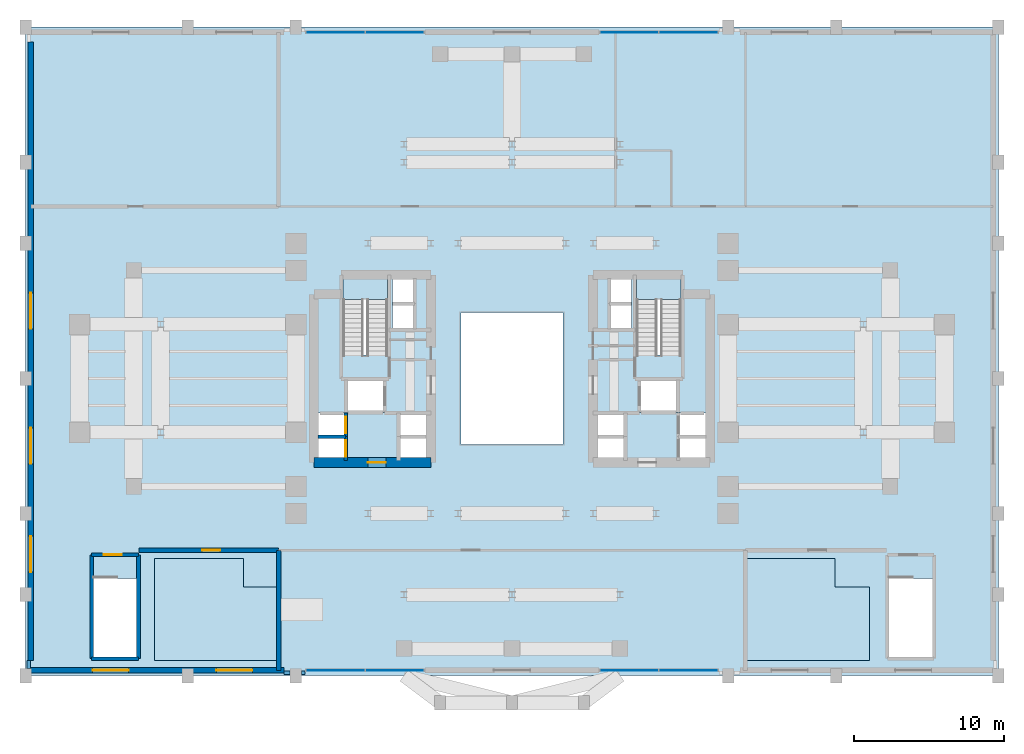
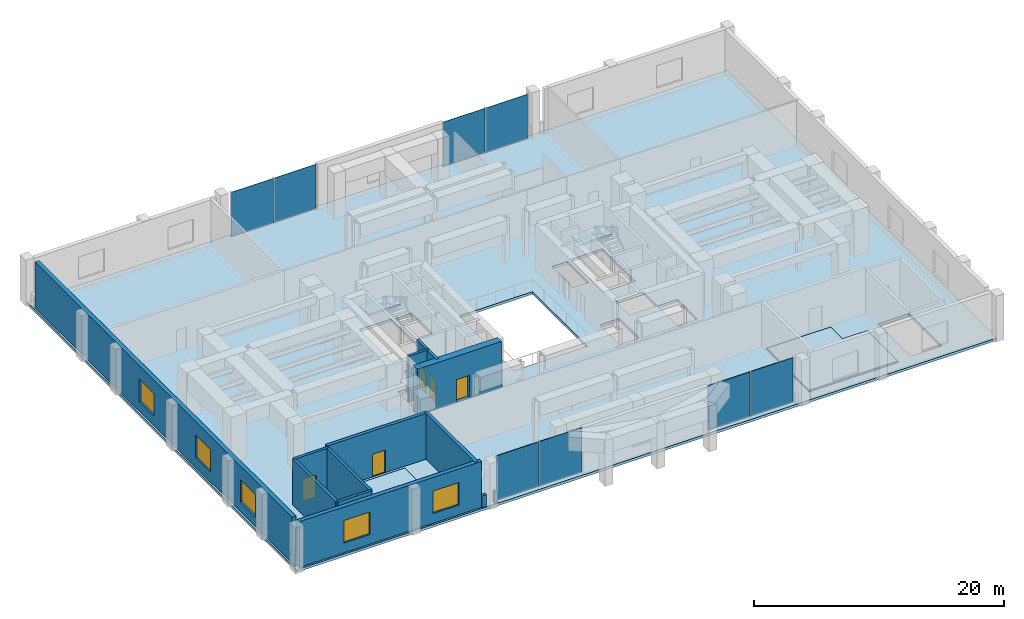
# One storey, part 8 of 13: 15 walls, 8 plates, 5 doors, 5 slabs, 5 windows, 10 openings, 6 elements without a shape of their own.
"""IFC4 building model written with IfcOpenShell, lengths in metres."""

from ifc_helpers import new_model, si_unit, direction, frame, frame_2d, origin, origin_2d, place, context, subcontext, project, spatial, polyline, rectangle, outline, extrude, source, transform, mapped, material, layer, layer_set, type_object, element, fill, aggregate, save


model = new_model("IFC4")

# Units and contexts
model_context = context("Model", 3, precision=1e-05, world=origin(), true_north=direction((0.0, 1.0)))
body_context = subcontext(model_context, "Body", "Model", "MODEL_VIEW")
ifc_project = project(units=[si_unit("LENGTHUNIT", "METRE"), si_unit("AREAUNIT", "SQUARE_METRE"), si_unit("VOLUMEUNIT", "CUBIC_METRE"), si_unit("PLANEANGLEUNIT", "RADIAN"), si_unit("MASSUNIT", "GRAM", prefix="KILO")], contexts=[model_context])

# Site, building, storey
site_placement = place(None, origin())
site = spatial("IfcSite", under=ifc_project, at=site_placement, CompositionType="ELEMENT")
building_placement = place(site_placement, origin())
building = spatial("IfcBuilding", under=site, at=building_placement, Name="Keilestroom Media Tower", CompositionType="ELEMENT")
storey_placement = place(building_placement, frame((0.0, 0.0, 20.39990234375)))
storey = spatial("IfcBuildingStorey", under=building, at=storey_placement, Name="L04", CompositionType="ELEMENT", Elevation=20.39990234375)

# Slabs
ifc_material_1 = material(Name="Concrete C50/60", Category="concrete")
ifc_layer_1 = layer(ifc_material_1, 0.25)
ifc_layer_set_1 = layer_set([ifc_layer_1], Name="Concrete C50/60")
slab_type_1 = type_object("IfcSlabType", Name="Composite-Floor-Slab-250", PredefinedType="FLOOR", material=ifc_layer_set_1)
slab_1_placement = place(storey_placement, frame((0.0, 0.0, -0.25)))
element("IfcSlab", 1, at=slab_1_placement, inside=storey, type_object=slab_type_1, Name="L04 Structural Composite Floor Slab", PredefinedType="FLOOR", context=body_context, shape_type="SweptSolid", body=[
    extrude(outline(polyline([(-32.39990234375, -19.800048828125), (32.39990234375, -19.800048828125), (32.39990234375, 23.39990234375), (-32.39990234375, 23.39990234375), (-32.39990234375, -19.800048828125)]), holes=[polyline([(-27.8798828125, -18.550048828125), (-27.8798828125, -13.3349609375), (-25.0, -13.3349609375), (-25.0, -18.550048828125), (-27.8798828125, -18.550048828125)]), polyline([(-12.919921875, -5.47998046875), (-12.919921875, -2.320068359375), (-11.080078125, -2.320068359375), (-11.080078125, -5.47998046875), (-12.919921875, -5.47998046875)]), polyline([(-11.260009765625, 6.760009765625), (-8.300048828125, 6.760009765625), (-8.300048828125, 1.544921875), (-11.260009765625, 1.544921875), (-11.260009765625, 6.760009765625)]), polyline([(-11.050048828125, -2.280029296875), (-11.050048828125, -0.10009765625), (-8.47998046875, -0.10009765625), (-8.47998046875, -2.280029296875), (-11.050048828125, -2.280029296875)]), polyline([(-7.949951171875, 6.64990234375), (-6.47998046875, 6.64990234375), (-6.47998046875, 3.300048828125), (-7.949951171875, 3.300048828125), (-7.949951171875, 6.64990234375)]), polyline([(-5.719970703125, -5.47998046875), (-7.56005859375, -5.47998046875), (-7.56005859375, -2.320068359375), (-5.719970703125, -2.320068359375), (-5.719970703125, -5.47998046875)]), polyline([(-3.39990234375, -4.39990234375), (-3.39990234375, 4.39990234375), (3.39990234375, 4.39990234375), (3.39990234375, -4.39990234375), (-3.39990234375, -4.39990234375)]), polyline([(7.56005859375, -2.320068359375), (7.56005859375, -5.47998046875), (5.719970703125, -5.47998046875), (5.719970703125, -2.320068359375), (7.56005859375, -2.320068359375)]), polyline([(7.949951171875, 6.64990234375), (7.949951171875, 3.300048828125), (6.47998046875, 3.300048828125), (6.47998046875, 6.64990234375), (7.949951171875, 6.64990234375)]), polyline([(8.300048828125, 6.760009765625), (11.260009765625, 6.760009765625), (11.260009765625, 1.544921875), (8.300048828125, 1.544921875), (8.300048828125, 6.760009765625)]), polyline([(8.47998046875, -2.280029296875), (8.47998046875, -0.10009765625), (11.050048828125, -0.10009765625), (11.050048828125, -2.280029296875), (8.47998046875, -2.280029296875)]), polyline([(11.080078125, -2.320068359375), (12.919921875, -2.320068359375), (12.919921875, -5.47998046875), (11.080078125, -5.47998046875), (11.080078125, -2.320068359375)]), polyline([(25.1201171875, -18.550048828125), (25.1201171875, -13.3349609375), (28.0, -13.3349609375), (28.0, -18.550048828125), (25.1201171875, -18.550048828125)])]), origin(), (0.0, 0.0, 1.0), 0.25),
])
ifc_material_2 = material(Name="Concrete C45/55", Category="concrete")
ifc_layer_2 = layer(ifc_material_2, 0.14990234375)
ifc_layer_set_2 = layer_set([ifc_layer_2], Name="Concrete C45/55")
slab_type_2 = type_object("IfcSlabType", Name="Floating-Studio-Floor-Slab-150", PredefinedType="FLOOR", material=ifc_layer_set_2)
slab_2_placement = place(storey_placement, origin())
element("IfcSlab", 2, at=slab_2_placement, inside=storey, type_object=slab_type_2, Name="L04 Acoustic Floating Studio Slab ST-AUD-W", PredefinedType="FLOOR", context=body_context, shape_type="SweptSolid", body=[
    extrude(outline(polyline([(-23.800048828125, -18.800048828125), (-15.60009765625, -18.800048828125), (-15.60009765625, -13.904052734375), (-17.89599609375, -13.904052734375), (-17.89599609375, -12.0), (-23.800048828125, -12.0), (-23.800048828125, -18.800048828125)])), origin(), (0.0, 0.0, 1.0), 0.150146484375),
])
slab_3_placement = place(storey_placement, origin())
element("IfcSlab", 3, at=slab_3_placement, inside=storey, type_object=slab_type_2, Name="L04 Acoustic Floating Studio Slab ST-FORUM-E", PredefinedType="FLOOR", context=body_context, shape_type="SweptSolid", body=[
    extrude(outline(polyline([(15.60009765625, -18.800048828125), (23.800048828125, -18.800048828125), (23.800048828125, -13.904052734375), (21.50390625, -13.904052734375), (21.50390625, -12.0), (15.60009765625, -12.0), (15.60009765625, -18.800048828125)])), origin(), (0.0, 0.0, 1.0), 0.150146484375),
])

# Stair, slab
stair_type = type_object("IfcStairType", Name="Enclosed-Dog-Leg-Stair-ST-CORE", PredefinedType="HALF_TURN_STAIR", material=ifc_material_2)
stair_1_placement = place(storey_placement, origin())
stair_1 = element("IfcStair", 4, at=stair_1_placement, inside=storey, type_object=stair_type, Name="L04 West Core Escape Stair ST-1", PredefinedType="HALF_TURN_STAIR")
ifc_layer_3 = layer(ifc_material_2, 0.199951171875)
ifc_layer_set_3 = layer_set([ifc_layer_3], Name="Concrete C45/55")
slab_type_3 = type_object("IfcSlabType", Name="Stair-Intermediate-And-Top-Landing-Slab-200", PredefinedType="LANDING", material=ifc_layer_set_3)
slab_4_placement = place(storey_placement, frame((0.0, 0.0, 2.2001953125)))
slab_4 = element("IfcSlab", 5, at=slab_4_placement, type_object=slab_type_3, Name="ST-1 landing 1", PredefinedType="LANDING", context=body_context, shape_type="SweptSolid", body=[
    extrude(outline(polyline([(-8.300048828125, 5.243896484375), (-8.300048828125, 6.760009765625), (-11.260009765625, 6.760009765625), (-11.260009765625, 5.243896484375), (-8.300048828125, 5.243896484375)])), origin(), (0.0, 0.0, 1.0), 0.199951171875),
])
aggregate(stair_1, [slab_4])

stair_2_placement = place(storey_placement, origin())
stair_2 = element("IfcStair", 6, at=stair_2_placement, inside=storey, type_object=stair_type, Name="L04 East Core Escape Stair ST-2", PredefinedType="HALF_TURN_STAIR")
slab_5_placement = place(storey_placement, frame((0.0, 0.0, 2.2001953125)))
slab_5 = element("IfcSlab", 7, at=slab_5_placement, type_object=slab_type_3, Name="ST-2 landing 1", PredefinedType="LANDING", context=body_context, shape_type="SweptSolid", body=[
    extrude(outline(polyline([(11.260009765625, 5.243896484375), (11.260009765625, 6.760009765625), (8.300048828125, 6.760009765625), (8.300048828125, 5.243896484375), (11.260009765625, 5.243896484375)])), origin(), (0.0, 0.0, 1.0), 0.199951171875),
])
aggregate(stair_2, [slab_5])

# Curtain wall, plates
ifc_material_3 = material(Name="Anodised Aluminium Alloy", Category="aluminium")
curtain_wall_type = type_object("IfcCurtainWallType", Name="Unitised-Curtain-Wall-CW-5", PredefinedType="NOTDEFINED", material=ifc_material_3)
curtain_wall_1_placement = place(storey_placement, origin())
curtain_wall_1 = element("IfcCurtainWall", 8, at=curtain_wall_1_placement, inside=storey, type_object=curtain_wall_type, Name="L04 Curtain Wall CW-5 CW-L04-S-ATR", PredefinedType="NOTDEFINED")
ifc_material_4 = material(Name="Acoustic Laminated Low-Iron Glazing", Category="glass")
ifc_layer_4 = layer(ifc_material_4, 0.0400390625)
ifc_layer_set_4 = layer_set([ifc_layer_4], Name="Acoustic Laminated Low-Iron Glazing")
plate_type = type_object("IfcPlateType", Name="Insulated-Curtain-Wall-Glazing-Panel-CW-5", PredefinedType="CURTAIN_PANEL", material=ifc_layer_set_4)
shared_shape_1 = source(origin(), body_context, "Body", "SweptSolid", [
    extrude(rectangle(XDim=3.89306640625, YDim=0.0400390625, at=origin_2d()), origin(), (0.0, 0.0, 1.0), 4.333984375),
])
plate_1_placement = place(storey_placement, frame((-11.767578125, -19.449951171875, 0.072998046875), z_axis=(0.0, 0.0, 1.0), x_axis=(1.0, 0.0, 0.0)))
plate_1 = element("IfcPlate", 9, at=plate_1_placement, type_object=plate_type, Name="CW-5 Unitised Glazing 00", PredefinedType="CURTAIN_PANEL", context=body_context, shape_type="MappedRepresentation", body=[
    mapped(shared_shape_1, transform((0.0, 0.0, 0.0), x_axis=(1.0, 0.0, 0.0), y_axis=(0.0, 1.0, 0.0), z_axis=(0.0, 0.0, 1.0), scale=1.0)),
])
plate_2_placement = place(storey_placement, frame((-7.8125, -19.449951171875, 0.072998046875), z_axis=(0.0, 0.0, 1.0), x_axis=(1.0, 0.0, 0.0)))
plate_2 = element("IfcPlate", 10, at=plate_2_placement, type_object=plate_type, Name="CW-5 Unitised Glazing 01", PredefinedType="CURTAIN_PANEL", context=body_context, shape_type="MappedRepresentation", body=[
    mapped(shared_shape_1, transform((0.0, 0.0, 0.0), x_axis=(1.0, 0.0, 0.0), y_axis=(0.0, 1.0, 0.0), z_axis=(0.0, 0.0, 1.0), scale=1.0)),
])
aggregate(curtain_wall_1, [plate_1, plate_2])

curtain_wall_2_placement = place(storey_placement, origin())
curtain_wall_2 = element("IfcCurtainWall", 11, at=curtain_wall_2_placement, inside=storey, type_object=curtain_wall_type, Name="L04 Curtain Wall CW-5 CW-L04-S-ATE", PredefinedType="NOTDEFINED")
plate_3_placement = place(storey_placement, frame((7.8125, -19.449951171875, 0.072998046875), z_axis=(0.0, 0.0, 1.0), x_axis=(1.0, 0.0, 0.0)))
plate_3 = element("IfcPlate", 12, at=plate_3_placement, type_object=plate_type, Name="CW-5 Unitised Glazing 00", PredefinedType="CURTAIN_PANEL", context=body_context, shape_type="MappedRepresentation", body=[
    mapped(shared_shape_1, transform((0.0, 0.0, 0.0), x_axis=(1.0, 0.0, 0.0), y_axis=(0.0, 1.0, 0.0), z_axis=(0.0, 0.0, 1.0), scale=1.0)),
])
plate_4_placement = place(storey_placement, frame((11.767578125, -19.449951171875, 0.072998046875), z_axis=(0.0, 0.0, 1.0), x_axis=(1.0, 0.0, 0.0)))
plate_4 = element("IfcPlate", 13, at=plate_4_placement, type_object=plate_type, Name="CW-5 Unitised Glazing 01", PredefinedType="CURTAIN_PANEL", context=body_context, shape_type="MappedRepresentation", body=[
    mapped(shared_shape_1, transform((0.0, 0.0, 0.0), x_axis=(1.0, 0.0, 0.0), y_axis=(0.0, 1.0, 0.0), z_axis=(0.0, 0.0, 1.0), scale=1.0)),
])
aggregate(curtain_wall_2, [plate_3, plate_4])

curtain_wall_3_placement = place(storey_placement, origin())
curtain_wall_3 = element("IfcCurtainWall", 14, at=curtain_wall_3_placement, inside=storey, type_object=curtain_wall_type, Name="L04 Curtain Wall CW-5 CW-L04-N-ATW", PredefinedType="NOTDEFINED")
plate_5_placement = place(storey_placement, frame((-11.767578125, 23.050048828125, 0.072998046875), z_axis=(0.0, 0.0, 1.0), x_axis=(1.0, 0.0, 0.0)))
plate_5 = element("IfcPlate", 15, at=plate_5_placement, type_object=plate_type, Name="CW-5 Unitised Glazing 00", PredefinedType="CURTAIN_PANEL", context=body_context, shape_type="MappedRepresentation", body=[
    mapped(shared_shape_1, transform((0.0, 0.0, 0.0), x_axis=(1.0, 0.0, 0.0), y_axis=(0.0, 1.0, 0.0), z_axis=(0.0, 0.0, 1.0), scale=1.0)),
])
plate_6_placement = place(storey_placement, frame((-7.8125, 23.050048828125, 0.072998046875), z_axis=(0.0, 0.0, 1.0), x_axis=(1.0, 0.0, 0.0)))
plate_6 = element("IfcPlate", 16, at=plate_6_placement, type_object=plate_type, Name="CW-5 Unitised Glazing 01", PredefinedType="CURTAIN_PANEL", context=body_context, shape_type="MappedRepresentation", body=[
    mapped(shared_shape_1, transform((0.0, 0.0, 0.0), x_axis=(1.0, 0.0, 0.0), y_axis=(0.0, 1.0, 0.0), z_axis=(0.0, 0.0, 1.0), scale=1.0)),
])
aggregate(curtain_wall_3, [plate_5, plate_6])

curtain_wall_4_placement = place(storey_placement, origin())
curtain_wall_4 = element("IfcCurtainWall", 17, at=curtain_wall_4_placement, inside=storey, type_object=curtain_wall_type, Name="L04 Curtain Wall CW-5 CW-L04-N-ATE", PredefinedType="NOTDEFINED")
plate_7_placement = place(storey_placement, frame((7.8125, 23.050048828125, 0.072998046875), z_axis=(0.0, 0.0, 1.0), x_axis=(1.0, 0.0, 0.0)))
plate_7 = element("IfcPlate", 18, at=plate_7_placement, type_object=plate_type, Name="CW-5 Unitised Glazing 00", PredefinedType="CURTAIN_PANEL", context=body_context, shape_type="MappedRepresentation", body=[
    mapped(shared_shape_1, transform((0.0, 0.0, 0.0), x_axis=(1.0, 0.0, 0.0), y_axis=(0.0, 1.0, 0.0), z_axis=(0.0, 0.0, 1.0), scale=1.0)),
])
plate_8_placement = place(storey_placement, frame((11.767578125, 23.050048828125, 0.072998046875), z_axis=(0.0, 0.0, 1.0), x_axis=(1.0, 0.0, 0.0)))
plate_8 = element("IfcPlate", 19, at=plate_8_placement, type_object=plate_type, Name="CW-5 Unitised Glazing 01", PredefinedType="CURTAIN_PANEL", context=body_context, shape_type="MappedRepresentation", body=[
    mapped(shared_shape_1, transform((0.0, 0.0, 0.0), x_axis=(1.0, 0.0, 0.0), y_axis=(0.0, 1.0, 0.0), z_axis=(0.0, 0.0, 1.0), scale=1.0)),
])
aggregate(curtain_wall_4, [plate_7, plate_8])

# Wall, opening, door
ifc_layer_5 = layer(ifc_material_2, 0.300048828125)
ifc_layer_set_5 = layer_set([ifc_layer_5], Name="Concrete C45/55")
wall_type_1 = type_object("IfcWallType", Name="Acoustic-Studio-Isolation-Wall-300", PredefinedType="SOLIDWALL", material=ifc_layer_set_5)
wall_1_placement = place(storey_placement, frame((-24.840087890625, -11.449951171875, 0.0), z_axis=(0.0, 0.0, 1.0), x_axis=(1.0, 0.0, 0.0)))
wall_1 = element("IfcWall", 20, at=wall_1_placement, inside=storey, type_object=wall_type_1, Name="L04 Interior Wall WP-L04-STD-SW-N", PredefinedType="SOLIDWALL", context=body_context, shape_type="SweptSolid", body=[
    extrude(rectangle(XDim=9.2900390625, YDim=0.300048828125, at=frame_2d((4.64501953125, 0.0))), origin(), (0.0, 0.0, 1.0), 4.47998046875),
])
opening_1_placement = place(wall_1_placement, frame((4.199951171875, 0.0, 0.0)))
opening_1 = element("IfcOpeningElement", 21, at=opening_1_placement, cuts=wall_1, Name="Opening DI-02", PredefinedType="OPENING", context=body_context, shape_type="SweptSolid", body=[
    extrude(rectangle(XDim=1.199951171875, YDim=2.199951171875, at=frame_2d((0.60009765625, 1.10009765625))), frame((0.0, 0.16015625, 0.0), z_axis=(0.0, -1.0, 0.0), x_axis=(1.0, 0.0, 0.0)), (0.0, 0.0, 1.0), 0.320068359375),
])
ifc_material_5 = material(Name="Powder-Coated Steel Fire Leaf", Category="steel")
door_type_1 = type_object("IfcDoorType", Name="Interior-Compartment-Fire-Door-DI-02", OperationType="NOTDEFINED", PredefinedType="DOOR", material=ifc_material_5)
shared_shape_2 = source(origin(), body_context, "Body", "SweptSolid", [
    extrude(rectangle(XDim=1.199951171875, YDim=2.199951171875, at=frame_2d((0.60009765625, 1.10009765625))), frame((0.0, 0.02490234375, 0.0), z_axis=(0.0, -1.0, 0.0), x_axis=(1.0, 0.0, 0.0)), (0.0, 0.0, 1.0), 0.050048828125),
])
door_1_placement = place(opening_1_placement, origin())
door_1 = element("IfcDoor", 22, at=door_1_placement, inside=storey, type_object=door_type_1, Name="L04 Interior Door DI-L04-STD-SW-D", OperationType="SINGLE_SWING_LEFT", OverallHeight=2.199951171875, OverallWidth=1.199951171875, PredefinedType="DOOR", context=body_context, shape_type="MappedRepresentation", body=[
    mapped(shared_shape_2, transform((0.0, 0.0, 0.0), x_axis=(1.0, 0.0, 0.0), y_axis=(0.0, 1.0, 0.0), z_axis=(0.0, 0.0, 1.0), scale=1.0)),
])
fill(opening_1, door_1)

# Wall
wall_2_placement = place(storey_placement, frame((-15.550048828125, -19.449951171875, 0.0), z_axis=(0.0, 0.0, 1.0), x_axis=(0.0, 1.0, 0.0)))
element("IfcWall", 23, at=wall_2_placement, inside=storey, type_object=wall_type_1, Name="L04 Interior Wall WP-L04-STD-SW-E", PredefinedType="SOLIDWALL", context=body_context, shape_type="SweptSolid", body=[
    extrude(rectangle(XDim=8.0, YDim=0.300048828125, at=frame_2d((4.0, 0.0))), origin(), (0.0, 0.0, 1.0), 4.47998046875),
])

# Wall, openings, windows
ifc_material_6 = material(Name="Precast concrete C40/50", Category="concrete")
ifc_layer_6 = layer(ifc_material_6, 0.3798828125)
ifc_layer_set_6 = layer_set([ifc_layer_6], Name="Precast concrete C40/50")
wall_type_2 = type_object("IfcWallType", Name="Exterior-Masonry-Spandrel-Wall-380", PredefinedType="SOLIDWALL", material=ifc_layer_set_6)
wall_3_placement = place(storey_placement, frame((-32.050048828125, -19.449951171875, 0.0), z_axis=(0.0, 0.0, 1.0), x_axis=(1.0, 0.0, 0.0)))
wall_3 = element("IfcWall", 24, at=wall_3_placement, inside=storey, type_object=wall_type_2, Name="L04 Podium Precast Masonry Wall EWL-L04-S-W", PredefinedType="SOLIDWALL", context=body_context, shape_type="SweptSolid", body=[
    extrude(rectangle(XDim=16.85009765625, YDim=0.3798828125, at=frame_2d((8.425048828125, 0.0))), origin(), (0.0, 0.0, 1.0), 4.47998046875),
])
opening_2_placement = place(wall_3_placement, frame((4.112060546875, 0.0, 0.949951171875)))
opening_2 = element("IfcOpeningElement", 25, at=opening_2_placement, cuts=wall_3, Name="Opening WN-02", PredefinedType="OPENING", context=body_context, shape_type="SweptSolid", body=[
    extrude(rectangle(XDim=2.39990234375, YDim=2.199951171875, at=frame_2d((1.199951171875, 1.10009765625))), frame((0.0, 0.199951171875, 0.0), z_axis=(0.0, -1.0, 0.0), x_axis=(1.0, 0.0, 0.0)), (0.0, 0.0, 1.0), 0.39990234375),
])
opening_3_placement = place(wall_3_placement, frame((12.362060546875, 0.0, 0.949951171875)))
opening_3 = element("IfcOpeningElement", 26, at=opening_3_placement, cuts=wall_3, Name="Opening WN-02", PredefinedType="OPENING", context=body_context, shape_type="SweptSolid", body=[
    extrude(rectangle(XDim=2.39990234375, YDim=2.199951171875, at=frame_2d((1.199951171875, 1.10009765625))), frame((0.0, 0.199951171875, 0.0), z_axis=(0.0, -1.0, 0.0), x_axis=(1.0, 0.0, 0.0)), (0.0, 0.0, 1.0), 0.39990234375),
])
ifc_material_7 = material(Name="Triple Glazed Low-E Window Unit", Category="glass")
window_type = type_object("IfcWindowType", Name="Recessed-Punched-Window-WN-02", PartitioningType="DOUBLE_PANEL_VERTICAL", PredefinedType="WINDOW", material=ifc_material_7)
shared_shape_3 = source(origin(), body_context, "Body", "SweptSolid", [
    extrude(rectangle(XDim=2.39990234375, YDim=2.199951171875, at=frame_2d((1.199951171875, 1.10009765625))), frame((0.0, 0.030029296875, 0.0), z_axis=(0.0, -1.0, 0.0), x_axis=(1.0, 0.0, 0.0)), (0.0, 0.0, 1.0), 0.06005859375),
])
window_1_placement = place(opening_2_placement, origin())
window_1 = element("IfcWindow", 27, at=window_1_placement, inside=storey, type_object=window_type, Name="L04 Window WN-02 EWL-L04-S-W-1", OverallHeight=2.199951171875, OverallWidth=2.39990234375, PartitioningType="SINGLE_PANEL", PredefinedType="WINDOW", context=body_context, shape_type="MappedRepresentation", body=[
    mapped(shared_shape_3, transform((0.0, 0.0, 0.0), x_axis=(1.0, 0.0, 0.0), y_axis=(0.0, 1.0, 0.0), z_axis=(0.0, 0.0, 1.0), scale=1.0)),
])
fill(opening_2, window_1)
window_2_placement = place(opening_3_placement, origin())
window_2 = element("IfcWindow", 28, at=window_2_placement, inside=storey, type_object=window_type, Name="L04 Window WN-02 EWL-L04-S-W-2", OverallHeight=2.199951171875, OverallWidth=2.39990234375, PartitioningType="SINGLE_PANEL", PredefinedType="WINDOW", context=body_context, shape_type="MappedRepresentation", body=[
    mapped(shared_shape_3, transform((0.0, 0.0, 0.0), x_axis=(1.0, 0.0, 0.0), y_axis=(0.0, 1.0, 0.0), z_axis=(0.0, 0.0, 1.0), scale=1.0)),
])
fill(opening_3, window_2)

wall_4_placement = place(storey_placement, frame((-32.050048828125, -18.800048828125, 0.0), z_axis=(0.0, 0.0, 1.0), x_axis=(0.0, 1.0, 0.0)))
wall_4 = element("IfcWall", 29, at=wall_4_placement, inside=storey, type_object=wall_type_2, Name="L04 Podium Precast Masonry Wall EWL-L04-W-M", PredefinedType="SOLIDWALL", context=body_context, shape_type="SweptSolid", body=[
    extrude(rectangle(XDim=41.199951171875, YDim=0.3798828125, at=frame_2d((20.60009765625, 0.0))), origin(), (0.0, 0.0, 1.0), 4.47998046875),
])
opening_4_placement = place(wall_4_placement, frame((5.89990234375, 0.0, 0.949951171875)))
opening_4 = element("IfcOpeningElement", 30, at=opening_4_placement, cuts=wall_4, Name="Opening WN-02", PredefinedType="OPENING", context=body_context, shape_type="SweptSolid", body=[
    extrude(rectangle(XDim=2.39990234375, YDim=2.199951171875, at=frame_2d((1.199951171875, 1.10009765625))), frame((0.0, 0.199951171875, 0.0), z_axis=(0.0, -1.0, 0.0), x_axis=(1.0, 0.0, 0.0)), (0.0, 0.0, 1.0), 0.39990234375),
])
opening_5_placement = place(wall_4_placement, frame((13.10009765625, 0.0, 0.949951171875)))
opening_5 = element("IfcOpeningElement", 31, at=opening_5_placement, cuts=wall_4, Name="Opening WN-02", PredefinedType="OPENING", context=body_context, shape_type="SweptSolid", body=[
    extrude(rectangle(XDim=2.39990234375, YDim=2.199951171875, at=frame_2d((1.199951171875, 1.10009765625))), frame((0.0, 0.199951171875, 0.0), z_axis=(0.0, -1.0, 0.0), x_axis=(1.0, 0.0, 0.0)), (0.0, 0.0, 1.0), 0.39990234375),
])
opening_6_placement = place(wall_4_placement, frame((22.10009765625, 0.0, 0.949951171875)))
opening_6 = element("IfcOpeningElement", 32, at=opening_6_placement, cuts=wall_4, Name="Opening WN-02", PredefinedType="OPENING", context=body_context, shape_type="SweptSolid", body=[
    extrude(rectangle(XDim=2.39990234375, YDim=2.199951171875, at=frame_2d((1.199951171875, 1.10009765625))), frame((0.0, 0.199951171875, 0.0), z_axis=(0.0, -1.0, 0.0), x_axis=(1.0, 0.0, 0.0)), (0.0, 0.0, 1.0), 0.39990234375),
])
window_3_placement = place(opening_4_placement, origin())
window_3 = element("IfcWindow", 33, at=window_3_placement, inside=storey, type_object=window_type, Name="L04 Window WN-02 EWL-L04-W-M-1", OverallHeight=2.199951171875, OverallWidth=2.39990234375, PartitioningType="SINGLE_PANEL", PredefinedType="WINDOW", context=body_context, shape_type="MappedRepresentation", body=[
    mapped(shared_shape_3, transform((0.0, 0.0, 0.0), x_axis=(1.0, 0.0, 0.0), y_axis=(0.0, 1.0, 0.0), z_axis=(0.0, 0.0, 1.0), scale=1.0)),
])
fill(opening_4, window_3)
window_4_placement = place(opening_5_placement, origin())
window_4 = element("IfcWindow", 34, at=window_4_placement, inside=storey, type_object=window_type, Name="L04 Window WN-02 EWL-L04-W-M-2", OverallHeight=2.199951171875, OverallWidth=2.39990234375, PartitioningType="SINGLE_PANEL", PredefinedType="WINDOW", context=body_context, shape_type="MappedRepresentation", body=[
    mapped(shared_shape_3, transform((0.0, 0.0, 0.0), x_axis=(1.0, 0.0, 0.0), y_axis=(0.0, 1.0, 0.0), z_axis=(0.0, 0.0, 1.0), scale=1.0)),
])
fill(opening_5, window_4)
window_5_placement = place(opening_6_placement, origin())
window_5 = element("IfcWindow", 35, at=window_5_placement, inside=storey, type_object=window_type, Name="L04 Window WN-02 EWL-L04-W-M-3", OverallHeight=2.199951171875, OverallWidth=2.39990234375, PartitioningType="SINGLE_PANEL", PredefinedType="WINDOW", context=body_context, shape_type="MappedRepresentation", body=[
    mapped(shared_shape_3, transform((0.0, 0.0, 0.0), x_axis=(1.0, 0.0, 0.0), y_axis=(0.0, 1.0, 0.0), z_axis=(0.0, 0.0, 1.0), scale=1.0)),
])
fill(opening_6, window_5)

# Wall, opening, door
ifc_material_8 = material(Name="Concrete C70/85", Category="concrete")
ifc_layer_7 = layer(ifc_material_8, 0.64990234375)
ifc_layer_set_7 = layer_set([ifc_layer_7], Name="Concrete C70/85")
wall_type_3 = type_object("IfcWallType", Name="Reinforced-Concrete-Core-Shear-Wall-650", PredefinedType="SHEAR", material=ifc_layer_set_7)
wall_5_placement = place(storey_placement, frame((-13.199951171875, -5.60009765625, 0.0), z_axis=(0.0, 0.0, 1.0), x_axis=(1.0, 0.0, 0.0)))
wall_5 = element("IfcWall", 36, at=wall_5_placement, inside=storey, type_object=wall_type_3, Name="L04 Core Shear Wall WL-L04-CORE-W-S", PredefinedType="SHEAR", context=body_context, shape_type="SweptSolid", body=[
    extrude(rectangle(XDim=7.800048828125, YDim=0.64990234375, at=frame_2d((3.89990234375, 0.0))), origin(), (0.0, 0.0, 1.0), 4.47998046875),
])
opening_7_placement = place(wall_5_placement, frame((3.60009765625, 0.0, 0.0)))
opening_7 = element("IfcOpeningElement", 37, at=opening_7_placement, cuts=wall_5, Name="Opening DI-02", PredefinedType="OPENING", context=body_context, shape_type="SweptSolid", body=[
    extrude(rectangle(XDim=1.199951171875, YDim=2.199951171875, at=frame_2d((0.60009765625, 1.10009765625))), frame((0.0, 0.3349609375, 0.0), z_axis=(0.0, -1.0, 0.0), x_axis=(1.0, 0.0, 0.0)), (0.0, 0.0, 1.0), 0.669921875),
])
door_2_placement = place(opening_7_placement, origin())
door_2 = element("IfcDoor", 38, at=door_2_placement, inside=storey, type_object=door_type_1, Name="L04 W Passenger Lift Lobby Door", OperationType="SINGLE_SWING_LEFT", OverallHeight=2.199951171875, OverallWidth=1.199951171875, PredefinedType="DOOR", context=body_context, shape_type="MappedRepresentation", body=[
    mapped(shared_shape_2, transform((0.0, 0.0, 0.0), x_axis=(1.0, 0.0, 0.0), y_axis=(0.0, 1.0, 0.0), z_axis=(0.0, 0.0, 1.0), scale=1.0)),
])
fill(opening_7, door_2)

# Walls
ifc_layer_8 = layer(ifc_material_1, 0.25)
ifc_layer_set_8 = layer_set([ifc_layer_8], Name="Concrete C50/60")
wall_type_4 = type_object("IfcWallType", Name="Reinforced-Concrete-Shaft-Wall-250", PredefinedType="SOLIDWALL", material=ifc_layer_set_8)
for number, where, z_axis, x_axis, name in (
    (39, (-28.0009765625, -18.6708984375, 0.0), (0.0, 0.0, 1.0), (0.0, 1.0, 0.0), "L04 Core Shear Wall WL-L04-ST-3-W"),
    (40, (-24.87890625, -18.6708984375, 0.0), (0.0, 0.0, 1.0), (0.0, 1.0, 0.0), "L04 Core Shear Wall WL-L04-ST-3-E"),
):
    element("IfcWall", number, at=place(storey_placement, frame(where, z_axis=z_axis, x_axis=x_axis)), inside=storey, type_object=wall_type_4, Name=name, PredefinedType="SOLIDWALL", context=body_context, shape_type="SweptSolid", body=[
        extrude(rectangle(XDim=6.921875, YDim=0.25, at=frame_2d((3.4609375, 0.0))), origin(), (0.0, 0.0, 1.0), 4.47998046875),
    ])
wall_6_placement = place(storey_placement, frame((-28.0009765625, -18.6708984375, 0.0), z_axis=(0.0, 0.0, 1.0), x_axis=(1.0, 0.0, 0.0)))
element("IfcWall", 41, at=wall_6_placement, inside=storey, type_object=wall_type_4, Name="L04 Core Shear Wall WL-L04-ST-3-S", PredefinedType="SOLIDWALL", context=body_context, shape_type="SweptSolid", body=[
    extrude(rectangle(XDim=3.1220703125, YDim=0.25, at=frame_2d((1.56103515625, 0.0))), origin(), (0.0, 0.0, 1.0), 4.47998046875),
])

# Wall, opening, door
wall_7_placement = place(storey_placement, frame((-28.0009765625, -11.7490234375, 0.0), z_axis=(0.0, 0.0, 1.0), x_axis=(1.0, 0.0, 0.0)))
wall_7 = element("IfcWall", 42, at=wall_7_placement, inside=storey, type_object=wall_type_4, Name="L04 Core Shear Wall WL-L04-ST-3-N", PredefinedType="SOLIDWALL", context=body_context, shape_type="SweptSolid", body=[
    extrude(rectangle(XDim=3.1220703125, YDim=0.25, at=frame_2d((1.56103515625, 0.0))), origin(), (0.0, 0.0, 1.0), 4.47998046875),
])
opening_8_placement = place(wall_7_placement, frame((0.800048828125, 0.0, 0.0)))
opening_8 = element("IfcOpeningElement", 43, at=opening_8_placement, cuts=wall_7, Name="Opening DI-01S", PredefinedType="OPENING", context=body_context, shape_type="SweptSolid", body=[
    extrude(rectangle(XDim=1.199951171875, YDim=2.199951171875, at=frame_2d((0.60009765625, 1.10009765625))), frame((0.0, 0.135009765625, 0.0), z_axis=(0.0, -1.0, 0.0), x_axis=(1.0, 0.0, 0.0)), (0.0, 0.0, 1.0), 0.27001953125),
])
door_type_2 = type_object("IfcDoorType", Name="Interior-Stair-And-Core-Fire-Door-DI-01", OperationType="NOTDEFINED", PredefinedType="DOOR", material=ifc_material_5)
door_3_placement = place(opening_8_placement, origin())
door_3 = element("IfcDoor", 44, at=door_3_placement, inside=storey, type_object=door_type_2, Name="L04 Podium Stair ST-3 Fire Door", OperationType="SINGLE_SWING_LEFT", OverallHeight=2.199951171875, OverallWidth=1.199951171875, PredefinedType="DOOR", context=body_context, shape_type="MappedRepresentation", body=[
    mapped(shared_shape_2, transform((0.0, 0.0, 0.0), x_axis=(1.0, 0.0, 0.0), y_axis=(0.0, 1.0, 0.0), z_axis=(0.0, 0.0, 1.0), scale=1.0)),
])
fill(opening_8, door_3)

wall_8_placement = place(storey_placement, frame((-11.080078125, -5.47998046875, 0.0), z_axis=(0.0, 0.0, 1.0), x_axis=(0.0, 1.0, 0.0)))
wall_8 = element("IfcWall", 45, at=wall_8_placement, inside=storey, type_object=wall_type_4, Name="L04 Core Shear Wall WL-L04-LSH-PL-L1-E", PredefinedType="SOLIDWALL", context=body_context, shape_type="SweptSolid", body=[
    extrude(rectangle(XDim=1.60009765625, YDim=0.25, at=frame_2d((0.800048828125, 0.0))), origin(), (0.0, 0.0, 1.0), 4.47998046875),
])
opening_9_placement = place(wall_8_placement, frame((0.25, 0.0, 0.0)))
opening_9 = element("IfcOpeningElement", 46, at=opening_9_placement, cuts=wall_8, Name="Opening LD-01", PredefinedType="OPENING", context=body_context, shape_type="SweptSolid", body=[
    extrude(rectangle(XDim=1.10009765625, YDim=2.199951171875, at=frame_2d((0.550048828125, 1.10009765625))), frame((0.0, 0.135009765625, 0.0), z_axis=(0.0, -1.0, 0.0), x_axis=(1.0, 0.0, 0.0)), (0.0, 0.0, 1.0), 0.27001953125),
])
ifc_material_9 = material(Name="Brushed Stainless Steel Sliding Leaf", Category="steel")
door_type_3 = type_object("IfcDoorType", Name="Lift-Landing-Sliding-Door-LD-01", OperationType="SLIDING_TO_LEFT", PredefinedType="DOOR", material=ifc_material_9)
shared_shape_4 = source(origin(), body_context, "Body", "SweptSolid", [
    extrude(rectangle(XDim=1.10009765625, YDim=2.199951171875, at=frame_2d((0.550048828125, 1.10009765625))), frame((0.0, 0.02490234375, 0.0), z_axis=(0.0, -1.0, 0.0), x_axis=(1.0, 0.0, 0.0)), (0.0, 0.0, 1.0), 0.050048828125),
])
door_4_placement = place(opening_9_placement, origin())
door_4 = element("IfcDoor", 47, at=door_4_placement, inside=storey, type_object=door_type_3, Name="L04 Lift PL-L1 Landing Sliding Door", OperationType="SLIDING_TO_LEFT", OverallHeight=2.199951171875, OverallWidth=1.10009765625, PredefinedType="DOOR", context=body_context, shape_type="MappedRepresentation", body=[
    mapped(shared_shape_4, transform((0.0, 0.0, 0.0), x_axis=(1.0, 0.0, 0.0), y_axis=(0.0, 1.0, 0.0), z_axis=(0.0, 0.0, 1.0), scale=1.0)),
])
fill(opening_9, door_4)

# Wall
wall_9_placement = place(storey_placement, frame((-12.919921875, -3.8798828125, 0.0), z_axis=(0.0, 0.0, 1.0), x_axis=(1.0, 0.0, 0.0)))
element("IfcWall", 48, at=wall_9_placement, inside=storey, type_object=wall_type_4, Name="L04 Core Shear Wall WL-L04-LSH-PL-L1-N", PredefinedType="SOLIDWALL", context=body_context, shape_type="SweptSolid", body=[
    extrude(rectangle(XDim=1.83984375, YDim=0.25, at=frame_2d((0.919921875, 0.0))), origin(), (0.0, 0.0, 1.0), 4.47998046875),
])

# Wall, opening, door
wall_10_placement = place(storey_placement, frame((-11.080078125, -3.8798828125, 0.0), z_axis=(0.0, 0.0, 1.0), x_axis=(0.0, 1.0, 0.0)))
wall_10 = element("IfcWall", 49, at=wall_10_placement, inside=storey, type_object=wall_type_4, Name="L04 Core Shear Wall WL-L04-LSH-PL-L2-E", PredefinedType="SOLIDWALL", context=body_context, shape_type="SweptSolid", body=[
    extrude(rectangle(XDim=1.559814453125, YDim=0.25, at=frame_2d((0.77978515625, 0.0))), origin(), (0.0, 0.0, 1.0), 4.47998046875),
])
opening_10_placement = place(wall_10_placement, frame((0.22998046875, 0.0, 0.0)))
opening_10 = element("IfcOpeningElement", 50, at=opening_10_placement, cuts=wall_10, Name="Opening LD-01", PredefinedType="OPENING", context=body_context, shape_type="SweptSolid", body=[
    extrude(rectangle(XDim=1.10009765625, YDim=2.199951171875, at=frame_2d((0.550048828125, 1.10009765625))), frame((0.0, 0.135009765625, 0.0), z_axis=(0.0, -1.0, 0.0), x_axis=(1.0, 0.0, 0.0)), (0.0, 0.0, 1.0), 0.27001953125),
])
door_5_placement = place(opening_10_placement, origin())
door_5 = element("IfcDoor", 51, at=door_5_placement, inside=storey, type_object=door_type_3, Name="L04 Lift PL-L2 Landing Sliding Door", OperationType="SLIDING_TO_LEFT", OverallHeight=2.199951171875, OverallWidth=1.10009765625, PredefinedType="DOOR", context=body_context, shape_type="MappedRepresentation", body=[
    mapped(shared_shape_4, transform((0.0, 0.0, 0.0), x_axis=(1.0, 0.0, 0.0), y_axis=(0.0, 1.0, 0.0), z_axis=(0.0, 0.0, 1.0), scale=1.0)),
])
fill(opening_10, door_5)

# Walls
ifc_layer_9 = layer(ifc_material_6, 0.239990234375)
ifc_layer_set_9 = layer_set([ifc_layer_9], Name="Precast concrete C40/50")
wall_type_5 = type_object("IfcWallType", Name="Roof-And-Terrace-Parapet-Wall-240", PredefinedType="PARAPET", material=ifc_layer_set_9)
wall_11_placement = place(storey_placement, frame((-32.199951171875, -19.322021484375, 0.0), z_axis=(0.0, 0.0, 1.0), x_axis=(0.0, 1.0, 0.0)))
element("IfcWall", 52, at=wall_11_placement, inside=storey, type_object=wall_type_5, Name="L04 Perimeter Edge Parapet Wall 01", PredefinedType="PARAPET", context=body_context, shape_type="SweptSolid", body=[
    extrude(rectangle(XDim=0.51904296875, YDim=0.239990234375, at=frame_2d((0.259521484375, 0.0))), origin(), (0.0, 0.0, 1.0), 1.150146484375),
])
wall_12_placement = place(storey_placement, frame((-13.782958984375, -19.60009765625, 0.0), z_axis=(0.0, 0.0, 1.0), x_axis=(-1.0, 0.0, 0.0)))
element("IfcWall", 53, at=wall_12_placement, inside=storey, type_object=wall_type_5, Name="L04 Perimeter Edge Parapet Wall 10", PredefinedType="PARAPET", context=body_context, shape_type="SweptSolid", body=[
    extrude(rectangle(XDim=0.239013671875, YDim=0.239990234375, at=frame_2d((0.11962890625, 0.0))), origin(), (0.0, 0.0, 1.0), 1.150146484375),
])
wall_13_placement = place(storey_placement, frame((-14.778076171875, -19.60009765625, 0.0), z_axis=(0.0, 0.0, 1.0), x_axis=(-1.0, 0.0, 0.0)))
element("IfcWall", 54, at=wall_13_placement, inside=storey, type_object=wall_type_5, Name="L04 Perimeter Edge Parapet Wall 11", PredefinedType="PARAPET", context=body_context, shape_type="SweptSolid", body=[
    extrude(rectangle(XDim=0.4189453125, YDim=0.239990234375, at=frame_2d((0.20947265625, 0.0))), origin(), (0.0, 0.0, 1.0), 1.150146484375),
])

save(model, "model.ifc")
